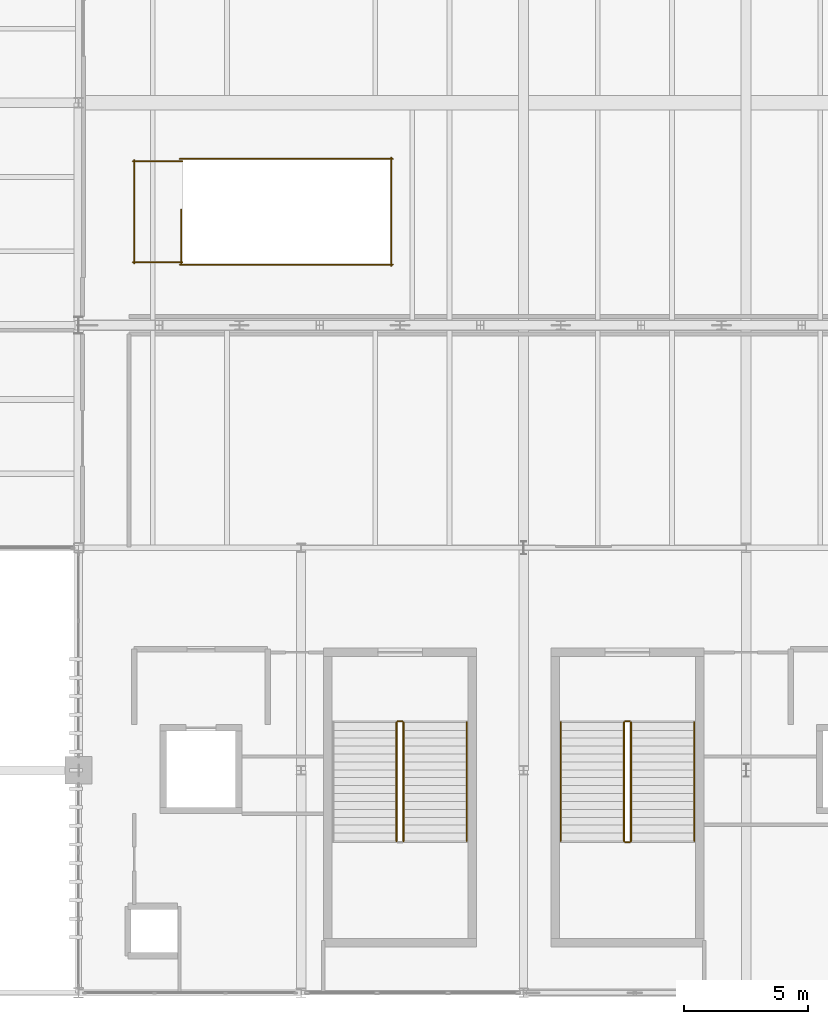
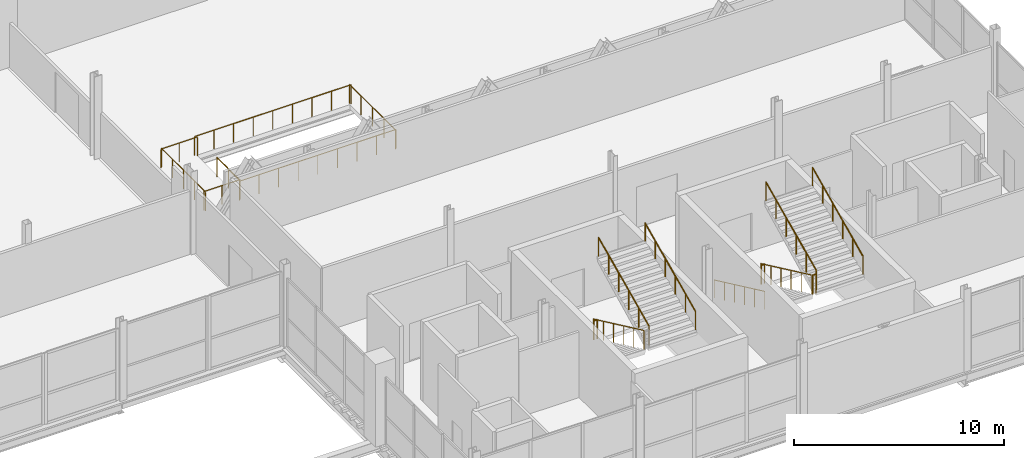
# One storey, part 218 of 224: 17 railings.
"""IFC4 building model written with IfcOpenShell, lengths in metres."""

from ifc_helpers import new_model, si_unit, direction, frame, origin, origin_2d, place, context, subcontext, project, spatial, circle, extrude, material, type_object, element, save


model = new_model("IFC4")

# Units and contexts
model_context = context("Model", 3, precision=1e-05, world=origin(), true_north=direction((0.0, 1.0)))
body_context = subcontext(model_context, "Body", "Model", "MODEL_VIEW")
ifc_project = project(units=[si_unit("LENGTHUNIT", "METRE"), si_unit("AREAUNIT", "SQUARE_METRE"), si_unit("VOLUMEUNIT", "CUBIC_METRE"), si_unit("PLANEANGLEUNIT", "RADIAN"), si_unit("MASSUNIT", "GRAM", prefix="KILO")], contexts=[model_context])

# Site, building, storey
site_placement = place(None, origin())
site = spatial("IfcSite", under=ifc_project, at=site_placement, CompositionType="ELEMENT")
building_placement = place(site_placement, origin())
building = spatial("IfcBuilding", under=site, at=building_placement, Name="Qamarlyn Nura Convention Centre", CompositionType="ELEMENT")
storey_placement = place(building_placement, frame((0.0, 0.0, 10.800048828125)))
storey = spatial("IfcBuildingStorey", under=building, at=storey_placement, Name="L02", CompositionType="ELEMENT", Elevation=10.800048828125)

# Railings
ifc_material = material(Name="Marine Grade 316 stainless steel", Category="steel")
railing_type_1 = type_object("IfcRailingType", Name="GRD-STAIR-112", PredefinedType="BALUSTRADE", material=ifc_material)
railing_1_placement = place(storey_placement, frame((165.860107421875, 10.93994140625, 0.14990234375)))
element("IfcRailing", 1, at=railing_1_placement, inside=storey, type_object=railing_type_1, Name="L02 ST-09 stair guard 1", PredefinedType="BALUSTRADE", context=body_context, shape_type="SweptSolid", body=[
    extrude(circle(Radius=0.02392578125, at=origin_2d()), frame((0.0, 0.0, 1.09619140625), z_axis=(0.0, -0.90546059521, 0.424430336476), x_axis=(1.0, 0.0, 0.0)), (0.0, 0.0, 1.0), 5.30126953125),
    extrude(circle(Radius=0.02099609375, at=origin_2d()), origin(), (0.0, 0.0, 1.0), 1.070068359375),
    extrude(circle(Radius=0.02099609375, at=origin_2d()), frame((0.0, -0.9599609375, 0.449951171875)), (0.0, 0.0, 1.0), 1.070068359375),
    extrude(circle(Radius=0.02099609375, at=origin_2d()), frame((0.0, -1.919921875, 0.89990234375)), (0.0, 0.0, 1.0), 1.070068359375),
    extrude(circle(Radius=0.02099609375, at=origin_2d()), frame((0.0, -2.880126953125, 1.35009765625)), (0.0, 0.0, 1.0), 1.070068359375),
    extrude(circle(Radius=0.02099609375, at=origin_2d()), frame((0.0, -3.840087890625, 1.800048828125)), (0.0, 0.0, 1.0), 1.070068359375),
    extrude(circle(Radius=0.02099609375, at=origin_2d()), frame((0.0, -4.800048828125, 2.25)), (0.0, 0.0, 1.0), 1.070068359375),
])
railing_2_placement = place(storey_placement, frame((166.139892578125, 6.139892578125, 2.550048828125)))
element("IfcRailing", 2, at=railing_2_placement, inside=storey, type_object=railing_type_1, Name="L02 ST-09 stair guard 3", PredefinedType="BALUSTRADE", context=body_context, shape_type="SweptSolid", body=[
    extrude(circle(Radius=0.02392578125, at=origin_2d()), frame((0.0, 0.0, 1.09619140625), z_axis=(0.0, 0.90546059521, 0.424430336476), x_axis=(-1.0, 0.0, 0.0)), (0.0, 0.0, 1.0), 5.30126953125),
    extrude(circle(Radius=0.02099609375, at=origin_2d()), origin(), (0.0, 0.0, 1.0), 1.070068359375),
    extrude(circle(Radius=0.02099609375, at=origin_2d()), frame((0.0, 0.9599609375, 0.449951171875)), (0.0, 0.0, 1.0), 1.070068359375),
    extrude(circle(Radius=0.02099609375, at=origin_2d()), frame((0.0, 1.919921875, 0.89990234375)), (0.0, 0.0, 1.0), 1.070068359375),
    extrude(circle(Radius=0.02099609375, at=origin_2d()), frame((0.0, 2.880126953125, 1.35009765625)), (0.0, 0.0, 1.0), 1.070068359375),
    extrude(circle(Radius=0.02099609375, at=origin_2d()), frame((0.0, 3.840087890625, 1.800048828125)), (0.0, 0.0, 1.0), 1.070068359375),
    extrude(circle(Radius=0.02099609375, at=origin_2d()), frame((0.0, 4.800048828125, 2.25)), (0.0, 0.0, 1.0), 1.070068359375),
])
railing_3_placement = place(storey_placement, frame((165.909912109375, 10.989990234375, 0.0)))
element("IfcRailing", 3, at=railing_3_placement, inside=storey, type_object=railing_type_1, Name="L02 ST-09 stair guard 4", PredefinedType="BALUSTRADE", context=body_context, shape_type="SweptSolid", body=[
    extrude(circle(Radius=0.02392578125, at=origin_2d()), frame((0.0, 0.0, 1.09619140625), z_axis=(1.0, 0.0, 0.0), x_axis=(0.0, 1.0, 0.0)), (0.0, 0.0, 1.0), 0.18017578125),
    extrude(circle(Radius=0.02099609375, at=origin_2d()), origin(), (0.0, 0.0, 1.0), 1.070068359375),
    extrude(circle(Radius=0.02099609375, at=origin_2d()), frame((0.18017578125, 0.0, 0.0)), (0.0, 0.0, 1.0), 1.070068359375),
])
railing_4_placement = place(storey_placement, frame((175.06005859375, 10.93994140625, 0.14990234375)))
element("IfcRailing", 4, at=railing_4_placement, inside=storey, type_object=railing_type_1, Name="L02 ST-10 stair guard 1", PredefinedType="BALUSTRADE", context=body_context, shape_type="SweptSolid", body=[
    extrude(circle(Radius=0.02392578125, at=origin_2d()), frame((0.0, 0.0, 1.09619140625), z_axis=(0.0, -0.90546059521, 0.424430336476), x_axis=(1.0, 0.0, 0.0)), (0.0, 0.0, 1.0), 5.30126953125),
    extrude(circle(Radius=0.02099609375, at=origin_2d()), origin(), (0.0, 0.0, 1.0), 1.070068359375),
    extrude(circle(Radius=0.02099609375, at=origin_2d()), frame((0.0, -0.9599609375, 0.449951171875)), (0.0, 0.0, 1.0), 1.070068359375),
    extrude(circle(Radius=0.02099609375, at=origin_2d()), frame((0.0, -1.919921875, 0.89990234375)), (0.0, 0.0, 1.0), 1.070068359375),
    extrude(circle(Radius=0.02099609375, at=origin_2d()), frame((0.0, -2.880126953125, 1.35009765625)), (0.0, 0.0, 1.0), 1.070068359375),
    extrude(circle(Radius=0.02099609375, at=origin_2d()), frame((0.0, -3.840087890625, 1.800048828125)), (0.0, 0.0, 1.0), 1.070068359375),
    extrude(circle(Radius=0.02099609375, at=origin_2d()), frame((0.0, -4.800048828125, 2.25)), (0.0, 0.0, 1.0), 1.070068359375),
])
railing_5_placement = place(storey_placement, frame((175.110107421875, 6.090087890625, 2.39990234375)))
element("IfcRailing", 5, at=railing_5_placement, inside=storey, type_object=railing_type_1, Name="L02 ST-10 stair guard 2", PredefinedType="BALUSTRADE", context=body_context, shape_type="SweptSolid", body=[
    extrude(circle(Radius=0.02392578125, at=origin_2d()), frame((0.0, 0.0, 1.09619140625), z_axis=(1.0, 0.0, 0.0), x_axis=(0.0, 1.0, 0.0)), (0.0, 0.0, 1.0), 0.179931640625),
    extrude(circle(Radius=0.02099609375, at=origin_2d()), origin(), (0.0, 0.0, 1.0), 1.070068359375),
    extrude(circle(Radius=0.02099609375, at=origin_2d()), frame((0.179931640625, 0.0, 0.0)), (0.0, 0.0, 1.0), 1.070068359375),
])
railing_6_placement = place(storey_placement, frame((175.340087890625, 6.139892578125, 2.550048828125)))
element("IfcRailing", 6, at=railing_6_placement, inside=storey, type_object=railing_type_1, Name="L02 ST-10 stair guard 3", PredefinedType="BALUSTRADE", context=body_context, shape_type="SweptSolid", body=[
    extrude(circle(Radius=0.02392578125, at=origin_2d()), frame((0.0, 0.0, 1.09619140625), z_axis=(0.0, 0.90546059521, 0.424430336476), x_axis=(-1.0, 0.0, 0.0)), (0.0, 0.0, 1.0), 5.30126953125),
    extrude(circle(Radius=0.02099609375, at=origin_2d()), origin(), (0.0, 0.0, 1.0), 1.070068359375),
    extrude(circle(Radius=0.02099609375, at=origin_2d()), frame((0.0, 0.9599609375, 0.449951171875)), (0.0, 0.0, 1.0), 1.070068359375),
    extrude(circle(Radius=0.02099609375, at=origin_2d()), frame((0.0, 1.919921875, 0.89990234375)), (0.0, 0.0, 1.0), 1.070068359375),
    extrude(circle(Radius=0.02099609375, at=origin_2d()), frame((0.0, 2.880126953125, 1.35009765625)), (0.0, 0.0, 1.0), 1.070068359375),
    extrude(circle(Radius=0.02099609375, at=origin_2d()), frame((0.0, 3.840087890625, 1.800048828125)), (0.0, 0.0, 1.0), 1.070068359375),
    extrude(circle(Radius=0.02099609375, at=origin_2d()), frame((0.0, 4.800048828125, 2.25)), (0.0, 0.0, 1.0), 1.070068359375),
])
railing_7_placement = place(storey_placement, frame((175.110107421875, 10.989990234375, 0.0)))
element("IfcRailing", 7, at=railing_7_placement, inside=storey, type_object=railing_type_1, Name="L02 ST-10 stair guard 4", PredefinedType="BALUSTRADE", context=body_context, shape_type="SweptSolid", body=[
    extrude(circle(Radius=0.02392578125, at=origin_2d()), frame((0.0, 0.0, 1.09619140625), z_axis=(1.0, 0.0, 0.0), x_axis=(0.0, 1.0, 0.0)), (0.0, 0.0, 1.0), 0.179931640625),
    extrude(circle(Radius=0.02099609375, at=origin_2d()), origin(), (0.0, 0.0, 1.0), 1.070068359375),
    extrude(circle(Radius=0.02099609375, at=origin_2d()), frame((0.179931640625, 0.0, 0.0)), (0.0, 0.0, 1.0), 1.070068359375),
])
railing_8_placement = place(storey_placement, frame((157.14990234375, 29.5, 0.0)))
element("IfcRailing", 8, at=railing_8_placement, inside=storey, type_object=railing_type_1, Name="L02 ST-20 top well guard 1", PredefinedType="BALUSTRADE", context=body_context, shape_type="SweptSolid", body=[
    extrude(circle(Radius=0.02392578125, at=origin_2d()), frame((0.0, 0.0, 1.09619140625), z_axis=(0.0, 1.0, 0.0), x_axis=(-1.0, 0.0, 0.0)), (0.0, 0.0, 1.0), 2.179931640625),
    extrude(circle(Radius=0.02099609375, at=origin_2d()), origin(), (0.0, 0.0, 1.0), 1.070068359375),
    extrude(circle(Radius=0.02099609375, at=origin_2d()), frame((0.0, 1.08984375, 0.0)), (0.0, 0.0, 1.0), 1.070068359375),
    extrude(circle(Radius=0.02099609375, at=origin_2d()), frame((0.0, 2.179931640625, 0.0)), (0.0, 0.0, 1.0), 1.070068359375),
])
for number, where, name in (
    (9, (157.10009765625, 29.449951171875, 0.0), "L02 ST-20 top well guard 2"),
    (10, (157.10009765625, 33.72998046875, 0.0), "L02 ST-20 top well guard 3"),
):
    element("IfcRailing", number, at=place(storey_placement, frame(where)), inside=storey, type_object=railing_type_1, Name=name, PredefinedType="BALUSTRADE", context=body_context, shape_type="SweptSolid", body=[
        extrude(circle(Radius=0.02392578125, at=origin_2d()), frame((0.0, 0.0, 1.09619140625), z_axis=(1.0, 0.0, 0.0), x_axis=(0.0, 1.0, 0.0)), (0.0, 0.0, 1.0), 8.599853515625),
        extrude(circle(Radius=0.02099609375, at=origin_2d()), origin(), (0.0, 0.0, 1.0), 1.070068359375),
        extrude(circle(Radius=0.02099609375, at=origin_2d()), frame((1.074951171875, 0.0, 0.0)), (0.0, 0.0, 1.0), 1.070068359375),
        extrude(circle(Radius=0.02099609375, at=origin_2d()), frame((2.14990234375, 0.0, 0.0)), (0.0, 0.0, 1.0), 1.070068359375),
        extrude(circle(Radius=0.02099609375, at=origin_2d()), frame((3.224853515625, 0.0, 0.0)), (0.0, 0.0, 1.0), 1.070068359375),
        extrude(circle(Radius=0.02099609375, at=origin_2d()), frame((4.2998046875, 0.0, 0.0)), (0.0, 0.0, 1.0), 1.070068359375),
        extrude(circle(Radius=0.02099609375, at=origin_2d()), frame((5.375, 0.0, 0.0)), (0.0, 0.0, 1.0), 1.070068359375),
        extrude(circle(Radius=0.02099609375, at=origin_2d()), frame((6.449951171875, 0.0, 0.0)), (0.0, 0.0, 1.0), 1.070068359375),
        extrude(circle(Radius=0.02099609375, at=origin_2d()), frame((7.52490234375, 0.0, 0.0)), (0.0, 0.0, 1.0), 1.070068359375),
        extrude(circle(Radius=0.02099609375, at=origin_2d()), frame((8.599853515625, 0.0, 0.0)), (0.0, 0.0, 1.0), 1.070068359375),
    ])
railing_9_placement = place(storey_placement, frame((165.64990234375, 29.39990234375, 0.0)))
element("IfcRailing", 11, at=railing_9_placement, inside=storey, type_object=railing_type_1, Name="L02 ST-20 top well guard 4", PredefinedType="BALUSTRADE", context=body_context, shape_type="SweptSolid", body=[
    extrude(circle(Radius=0.02392578125, at=origin_2d()), frame((0.0, 0.0, 1.09619140625), z_axis=(0.0, 1.0, 0.0), x_axis=(-1.0, 0.0, 0.0)), (0.0, 0.0, 1.0), 4.380126953125),
    extrude(circle(Radius=0.02099609375, at=origin_2d()), origin(), (0.0, 0.0, 1.0), 1.070068359375),
    extrude(circle(Radius=0.02099609375, at=origin_2d()), frame((0.0, 1.094970703125, 0.0)), (0.0, 0.0, 1.0), 1.070068359375),
    extrude(circle(Radius=0.02099609375, at=origin_2d()), frame((0.0, 2.18994140625, 0.0)), (0.0, 0.0, 1.0), 1.070068359375),
    extrude(circle(Radius=0.02099609375, at=origin_2d()), frame((0.0, 3.28515625, 0.0)), (0.0, 0.0, 1.0), 1.070068359375),
    extrude(circle(Radius=0.02099609375, at=origin_2d()), frame((0.0, 4.380126953125, 0.0)), (0.0, 0.0, 1.0), 1.070068359375),
])
for number, where, name in (
    (12, (155.199951171875, 29.550048828125, 0.0), "L02 ST-20 top well guard 5"),
    (13, (155.199951171875, 33.6298828125, 0.0), "L02 ST-20 top well guard 6"),
):
    element("IfcRailing", number, at=place(storey_placement, frame(where)), inside=storey, type_object=railing_type_1, Name=name, PredefinedType="BALUSTRADE", context=body_context, shape_type="SweptSolid", body=[
        extrude(circle(Radius=0.02392578125, at=origin_2d()), frame((0.0, 0.0, 1.09619140625), z_axis=(1.0, 0.0, 0.0), x_axis=(0.0, 1.0, 0.0)), (0.0, 0.0, 1.0), 2.0),
        extrude(circle(Radius=0.02099609375, at=origin_2d()), origin(), (0.0, 0.0, 1.0), 1.070068359375),
        extrude(circle(Radius=0.02099609375, at=origin_2d()), frame((1.0, 0.0, 0.0)), (0.0, 0.0, 1.0), 1.070068359375),
        extrude(circle(Radius=0.02099609375, at=origin_2d()), frame((2.0, 0.0, 0.0)), (0.0, 0.0, 1.0), 1.070068359375),
    ])
railing_10_placement = place(storey_placement, frame((155.25, 29.5, 0.0)))
element("IfcRailing", 14, at=railing_10_placement, inside=storey, type_object=railing_type_1, Name="L02 ST-20 top well guard 7", PredefinedType="BALUSTRADE", context=body_context, shape_type="SweptSolid", body=[
    extrude(circle(Radius=0.02392578125, at=origin_2d()), frame((0.0, 0.0, 1.09619140625), z_axis=(0.0, 1.0, 0.0), x_axis=(-1.0, 0.0, 0.0)), (0.0, 0.0, 1.0), 4.179931640625),
    extrude(circle(Radius=0.02099609375, at=origin_2d()), origin(), (0.0, 0.0, 1.0), 1.070068359375),
    extrude(circle(Radius=0.02099609375, at=origin_2d()), frame((0.0, 1.044921875, 0.0)), (0.0, 0.0, 1.0), 1.070068359375),
    extrude(circle(Radius=0.02099609375, at=origin_2d()), frame((0.0, 2.08984375, 0.0)), (0.0, 0.0, 1.0), 1.070068359375),
    extrude(circle(Radius=0.02099609375, at=origin_2d()), frame((0.0, 3.135009765625, 0.0)), (0.0, 0.0, 1.0), 1.070068359375),
    extrude(circle(Radius=0.02099609375, at=origin_2d()), frame((0.0, 4.179931640625, 0.0)), (0.0, 0.0, 1.0), 1.070068359375),
])
railing_type_2 = type_object("IfcRailingType", Name="HRL-STAIR-090", PredefinedType="HANDRAIL", material=ifc_material)
railing_11_placement = place(storey_placement, frame((168.699951171875, 6.139892578125, 2.7021484375)))
element("IfcRailing", 15, at=railing_11_placement, inside=storey, type_object=railing_type_2, Name="L02 ST-09 stair handrail 2", PredefinedType="HANDRAIL", context=body_context, shape_type="SweptSolid", body=[
    extrude(circle(Radius=0.02392578125, at=origin_2d()), frame((0.0, 0.0, 0.88818359375), z_axis=(0.0, 0.90546059521, 0.424430336476), x_axis=(-1.0, 0.0, 0.0)), (0.0, 0.0, 1.0), 5.30126953125),
    extrude(circle(Radius=0.02099609375, at=origin_2d()), frame((0.0, 0.0, -0.155029296875)), (0.0, 0.0, 1.0), 1.01708984375),
    extrude(circle(Radius=0.02099609375, at=origin_2d()), frame((0.0, 0.9599609375, 0.294921875)), (0.0, 0.0, 1.0), 1.01708984375),
    extrude(circle(Radius=0.02099609375, at=origin_2d()), frame((0.0, 1.919921875, 0.744873046875)), (0.0, 0.0, 1.0), 1.01708984375),
    extrude(circle(Radius=0.02099609375, at=origin_2d()), frame((0.0, 2.880126953125, 1.195068359375)), (0.0, 0.0, 1.0), 1.01708984375),
    extrude(circle(Radius=0.02099609375, at=origin_2d()), frame((0.0, 3.840087890625, 1.64501953125)), (0.0, 0.0, 1.0), 1.01708984375),
    extrude(circle(Radius=0.02099609375, at=origin_2d()), frame((0.0, 4.800048828125, 2.094970703125)), (0.0, 0.0, 1.0), 1.01708984375),
])
railing_12_placement = place(storey_placement, frame((172.5, 10.93994140625, 0.30224609375)))
element("IfcRailing", 16, at=railing_12_placement, inside=storey, type_object=railing_type_2, Name="L02 ST-10 stair handrail 1", PredefinedType="HANDRAIL", context=body_context, shape_type="SweptSolid", body=[
    extrude(circle(Radius=0.02392578125, at=origin_2d()), frame((0.0, 0.0, 0.88818359375), z_axis=(0.0, -0.90546059521, 0.424430336476), x_axis=(1.0, 0.0, 0.0)), (0.0, 0.0, 1.0), 5.30126953125),
    extrude(circle(Radius=0.02099609375, at=origin_2d()), frame((0.0, 0.0, -0.155029296875)), (0.0, 0.0, 1.0), 1.01708984375),
    extrude(circle(Radius=0.02099609375, at=origin_2d()), frame((0.0, -0.9599609375, 0.294921875)), (0.0, 0.0, 1.0), 1.01708984375),
    extrude(circle(Radius=0.02099609375, at=origin_2d()), frame((0.0, -1.919921875, 0.744873046875)), (0.0, 0.0, 1.0), 1.01708984375),
    extrude(circle(Radius=0.02099609375, at=origin_2d()), frame((0.0, -2.880126953125, 1.195068359375)), (0.0, 0.0, 1.0), 1.01708984375),
    extrude(circle(Radius=0.02099609375, at=origin_2d()), frame((0.0, -3.840087890625, 1.64501953125)), (0.0, 0.0, 1.0), 1.01708984375),
    extrude(circle(Radius=0.02099609375, at=origin_2d()), frame((0.0, -4.800048828125, 2.094970703125)), (0.0, 0.0, 1.0), 1.01708984375),
])
railing_13_placement = place(storey_placement, frame((177.89990234375, 6.139892578125, 2.7021484375)))
element("IfcRailing", 17, at=railing_13_placement, inside=storey, type_object=railing_type_2, Name="L02 ST-10 stair handrail 2", PredefinedType="HANDRAIL", context=body_context, shape_type="SweptSolid", body=[
    extrude(circle(Radius=0.02392578125, at=origin_2d()), frame((0.0, 0.0, 0.88818359375), z_axis=(0.0, 0.90546059521, 0.424430336476), x_axis=(-1.0, 0.0, 0.0)), (0.0, 0.0, 1.0), 5.30126953125),
    extrude(circle(Radius=0.02099609375, at=origin_2d()), frame((0.0, 0.0, -0.155029296875)), (0.0, 0.0, 1.0), 1.01708984375),
    extrude(circle(Radius=0.02099609375, at=origin_2d()), frame((0.0, 0.9599609375, 0.294921875)), (0.0, 0.0, 1.0), 1.01708984375),
    extrude(circle(Radius=0.02099609375, at=origin_2d()), frame((0.0, 1.919921875, 0.744873046875)), (0.0, 0.0, 1.0), 1.01708984375),
    extrude(circle(Radius=0.02099609375, at=origin_2d()), frame((0.0, 2.880126953125, 1.195068359375)), (0.0, 0.0, 1.0), 1.01708984375),
    extrude(circle(Radius=0.02099609375, at=origin_2d()), frame((0.0, 3.840087890625, 1.64501953125)), (0.0, 0.0, 1.0), 1.01708984375),
    extrude(circle(Radius=0.02099609375, at=origin_2d()), frame((0.0, 4.800048828125, 2.094970703125)), (0.0, 0.0, 1.0), 1.01708984375),
])

save(model, "model.ifc")
